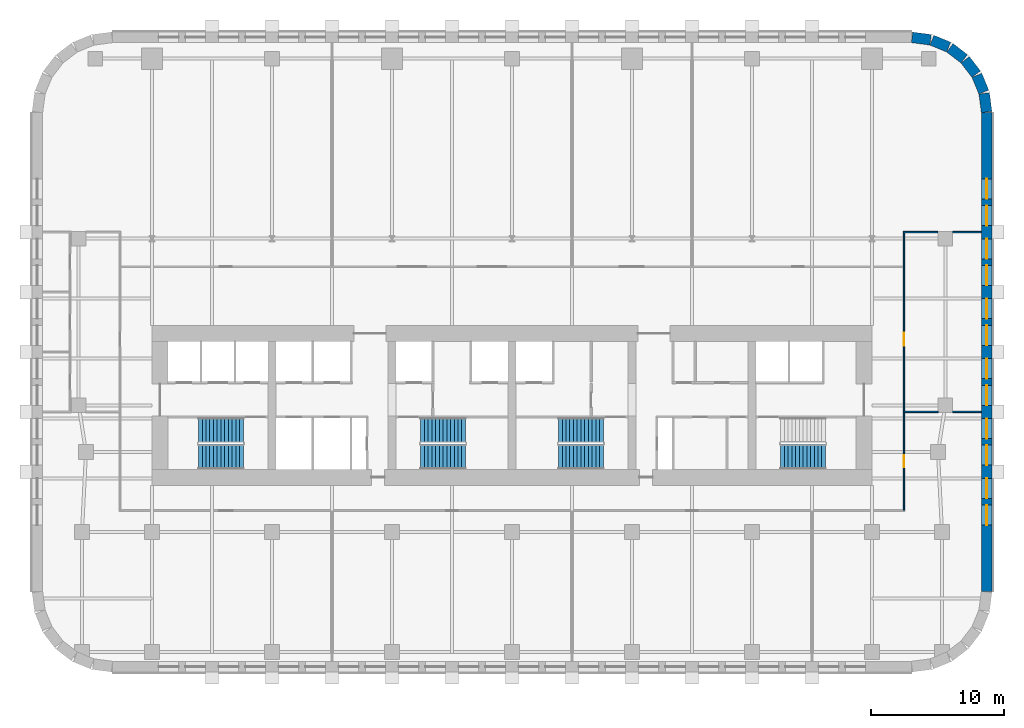
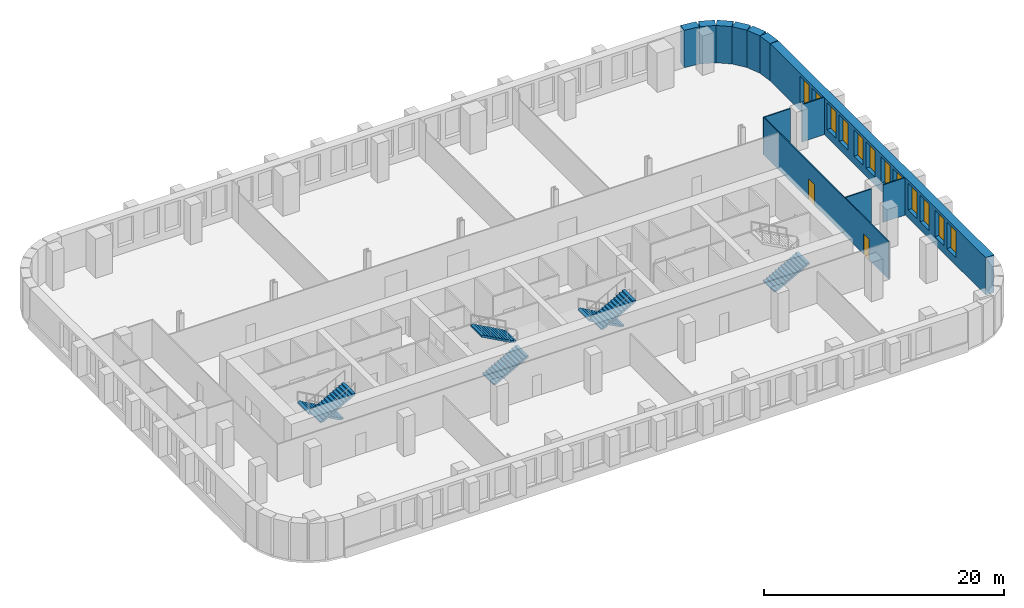
# One storey, part 8 of 11: 12 walls, 12 windows, 7 stair flights, 2 doors, 14 openings, 4 elements without a shape of their own.
"""IFC4 building model written with IfcOpenShell, lengths in metres."""

from ifc_helpers import new_model, si_unit, direction, frame, frame_2d, origin, place, context, subcontext, project, spatial, polyline, rectangle, outline, extrude, material, layer, layer_set, type_object, element, fill, aggregate, save


model = new_model("IFC4")

# Units and contexts
model_context = context("Model", 3, precision=1e-05, world=origin(), true_north=direction((0.0, 1.0)))
body_context = subcontext(model_context, "Body", "Model", "MODEL_VIEW")
ifc_project = project(units=[si_unit("LENGTHUNIT", "METRE"), si_unit("AREAUNIT", "SQUARE_METRE"), si_unit("VOLUMEUNIT", "CUBIC_METRE"), si_unit("PLANEANGLEUNIT", "RADIAN"), si_unit("MASSUNIT", "GRAM", prefix="KILO")], contexts=[model_context])

# Site, building, storey
site_placement = place(None, origin())
site = spatial("IfcSite", under=ifc_project, at=site_placement, CompositionType="ELEMENT")
building_placement = place(site_placement, origin())
building = spatial("IfcBuilding", under=site, at=building_placement, Name="Zellij Exchange Tower", CompositionType="ELEMENT")
storey_placement = place(building_placement, frame((0.0, 0.0, 72.5)))
storey = spatial("IfcBuildingStorey", under=building, at=storey_placement, Name="L14", CompositionType="ELEMENT", Elevation=72.5)

# Wall, openings, windows
ifc_material_1 = material(Name="Precast concrete C40/50", Category="concrete")
ifc_layer_1 = layer(ifc_material_1, 0.800048828125)
ifc_layer_set_1 = layer_set([ifc_layer_1], Name="Precast concrete C40/50")
wall_type_1 = type_object("IfcWallType", Name="ENV-EW1 Precast stone-piered wall 800", PredefinedType="SOLIDWALL", material=ifc_layer_set_1)
wall_1_placement = place(storey_placement, frame((35.60009765625, -21.947509765625, 0.0), z_axis=(0.0, 0.0, 1.0), x_axis=(0.0, 1.0, 0.0)))
wall_1 = element("IfcWall", 1, at=wall_1_placement, inside=storey, type_object=wall_type_1, Name="fac.L14.07", PredefinedType="SOLIDWALL", context=body_context, shape_type="SweptSolid", body=[
    extrude(rectangle(XDim=35.89501953125, YDim=0.800048828125, at=frame_2d((17.947509765625, 0.0))), origin(), (0.0, 0.0, 1.0), 3.800048828125),
])
opening_1_placement = place(wall_1_placement, frame((4.9638671875, 0.0, 0.800048828125)))
opening_1 = element("IfcOpeningElement", 2, at=opening_1_placement, cuts=wall_1, Name="Opening FZ1.25", PredefinedType="OPENING", context=body_context, shape_type="SweptSolid", body=[
    extrude(rectangle(XDim=1.5, YDim=2.699951171875, at=frame_2d((0.75, 1.35009765625))), frame((0.0, 0.412109375, 0.0), z_axis=(0.0, -1.0, 0.0), x_axis=(1.0, 0.0, 0.0)), (0.0, 0.0, 1.0), 0.823974609375),
])
opening_2_placement = place(wall_1_placement, frame((6.9638671875, 0.0, 0.800048828125)))
opening_2 = element("IfcOpeningElement", 3, at=opening_2_placement, cuts=wall_1, Name="Opening FZ1.26", PredefinedType="OPENING", context=body_context, shape_type="SweptSolid", body=[
    extrude(rectangle(XDim=1.5, YDim=2.699951171875, at=frame_2d((0.75, 1.35009765625))), frame((0.0, 0.412109375, 0.0), z_axis=(0.0, -1.0, 0.0), x_axis=(1.0, 0.0, 0.0)), (0.0, 0.0, 1.0), 0.823974609375),
])
opening_3_placement = place(wall_1_placement, frame((9.45751953125, 0.0, 0.800048828125)))
opening_3 = element("IfcOpeningElement", 4, at=opening_3_placement, cuts=wall_1, Name="Opening FZ1.27", PredefinedType="OPENING", context=body_context, shape_type="SweptSolid", body=[
    extrude(rectangle(XDim=1.5, YDim=2.699951171875, at=frame_2d((0.75, 1.35009765625))), frame((0.0, 0.412109375, 0.0), z_axis=(0.0, -1.0, 0.0), x_axis=(1.0, 0.0, 0.0)), (0.0, 0.0, 1.0), 0.823974609375),
])
opening_4_placement = place(wall_1_placement, frame((11.45751953125, 0.0, 0.800048828125)))
opening_4 = element("IfcOpeningElement", 5, at=opening_4_placement, cuts=wall_1, Name="Opening FZ1.28", PredefinedType="OPENING", context=body_context, shape_type="SweptSolid", body=[
    extrude(rectangle(XDim=1.5, YDim=2.699951171875, at=frame_2d((0.75, 1.35009765625))), frame((0.0, 0.412109375, 0.0), z_axis=(0.0, -1.0, 0.0), x_axis=(1.0, 0.0, 0.0)), (0.0, 0.0, 1.0), 0.823974609375),
])
opening_5_placement = place(wall_1_placement, frame((13.950927734375, 0.0, 0.800048828125)))
opening_5 = element("IfcOpeningElement", 6, at=opening_5_placement, cuts=wall_1, Name="Opening FZ1.29", PredefinedType="OPENING", context=body_context, shape_type="SweptSolid", body=[
    extrude(rectangle(XDim=1.5, YDim=2.699951171875, at=frame_2d((0.75, 1.35009765625))), frame((0.0, 0.412109375, 0.0), z_axis=(0.0, -1.0, 0.0), x_axis=(1.0, 0.0, 0.0)), (0.0, 0.0, 1.0), 0.823974609375),
])
opening_6_placement = place(wall_1_placement, frame((15.95068359375, 0.0, 0.800048828125)))
opening_6 = element("IfcOpeningElement", 7, at=opening_6_placement, cuts=wall_1, Name="Opening FZ1.30", PredefinedType="OPENING", context=body_context, shape_type="SweptSolid", body=[
    extrude(rectangle(XDim=1.5, YDim=2.699951171875, at=frame_2d((0.75, 1.35009765625))), frame((0.0, 0.412109375, 0.0), z_axis=(0.0, -1.0, 0.0), x_axis=(1.0, 0.0, 0.0)), (0.0, 0.0, 1.0), 0.823974609375),
])
opening_7_placement = place(wall_1_placement, frame((18.4443359375, 0.0, 0.800048828125)))
opening_7 = element("IfcOpeningElement", 8, at=opening_7_placement, cuts=wall_1, Name="Opening FZ1.31", PredefinedType="OPENING", context=body_context, shape_type="SweptSolid", body=[
    extrude(rectangle(XDim=1.5, YDim=2.699951171875, at=frame_2d((0.75, 1.35009765625))), frame((0.0, 0.412109375, 0.0), z_axis=(0.0, -1.0, 0.0), x_axis=(1.0, 0.0, 0.0)), (0.0, 0.0, 1.0), 0.823974609375),
])
opening_8_placement = place(wall_1_placement, frame((20.4443359375, 0.0, 0.800048828125)))
opening_8 = element("IfcOpeningElement", 9, at=opening_8_placement, cuts=wall_1, Name="Opening FZ1.32", PredefinedType="OPENING", context=body_context, shape_type="SweptSolid", body=[
    extrude(rectangle(XDim=1.5, YDim=2.699951171875, at=frame_2d((0.75, 1.35009765625))), frame((0.0, 0.412109375, 0.0), z_axis=(0.0, -1.0, 0.0), x_axis=(1.0, 0.0, 0.0)), (0.0, 0.0, 1.0), 0.823974609375),
])
opening_9_placement = place(wall_1_placement, frame((22.937744140625, 0.0, 0.800048828125)))
opening_9 = element("IfcOpeningElement", 10, at=opening_9_placement, cuts=wall_1, Name="Opening FZ1.33", PredefinedType="OPENING", context=body_context, shape_type="SweptSolid", body=[
    extrude(rectangle(XDim=1.5, YDim=2.699951171875, at=frame_2d((0.75, 1.35009765625))), frame((0.0, 0.412109375, 0.0), z_axis=(0.0, -1.0, 0.0), x_axis=(1.0, 0.0, 0.0)), (0.0, 0.0, 1.0), 0.823974609375),
])
opening_10_placement = place(wall_1_placement, frame((24.937744140625, 0.0, 0.800048828125)))
opening_10 = element("IfcOpeningElement", 11, at=opening_10_placement, cuts=wall_1, Name="Opening FZ1.34", PredefinedType="OPENING", context=body_context, shape_type="SweptSolid", body=[
    extrude(rectangle(XDim=1.5, YDim=2.699951171875, at=frame_2d((0.75, 1.35009765625))), frame((0.0, 0.412109375, 0.0), z_axis=(0.0, -1.0, 0.0), x_axis=(1.0, 0.0, 0.0)), (0.0, 0.0, 1.0), 0.823974609375),
])
opening_11_placement = place(wall_1_placement, frame((27.43115234375, 0.0, 0.800048828125)))
opening_11 = element("IfcOpeningElement", 12, at=opening_11_placement, cuts=wall_1, Name="Opening FZ1.35", PredefinedType="OPENING", context=body_context, shape_type="SweptSolid", body=[
    extrude(rectangle(XDim=1.5, YDim=2.699951171875, at=frame_2d((0.75, 1.35009765625))), frame((0.0, 0.412109375, 0.0), z_axis=(0.0, -1.0, 0.0), x_axis=(1.0, 0.0, 0.0)), (0.0, 0.0, 1.0), 0.823974609375),
])
opening_12_placement = place(wall_1_placement, frame((29.43115234375, 0.0, 0.800048828125)))
opening_12 = element("IfcOpeningElement", 13, at=opening_12_placement, cuts=wall_1, Name="Opening FZ1.36", PredefinedType="OPENING", context=body_context, shape_type="SweptSolid", body=[
    extrude(rectangle(XDim=1.5, YDim=2.699951171875, at=frame_2d((0.75, 1.35009765625))), frame((0.0, 0.412109375, 0.0), z_axis=(0.0, -1.0, 0.0), x_axis=(1.0, 0.0, 0.0)), (0.0, 0.0, 1.0), 0.823974609375),
])
ifc_material_2 = material(Name="Aluminium frame with insulating glass", Category="aluminium")
window_type = type_object("IfcWindowType", Name="ENV-W6 Window 1500x2700", PartitioningType="SINGLE_PANEL", PredefinedType="WINDOW", material=ifc_material_2)
window_1_placement = place(opening_1_placement, origin())
window_1 = element("IfcWindow", 14, at=window_1_placement, inside=storey, type_object=window_type, Name="Window FZ1.25", OverallHeight=2.699951171875, OverallWidth=1.5, PartitioningType="SINGLE_PANEL", PredefinedType="WINDOW", context=body_context, shape_type="SweptSolid", body=[
    extrude(rectangle(XDim=1.5, YDim=2.699951171875, at=frame_2d((0.75, 1.35009765625))), frame((0.0, 0.030029296875, 0.0), z_axis=(0.0, -1.0, 0.0), x_axis=(1.0, 0.0, 0.0)), (0.0, 0.0, 1.0), 0.06005859375),
])
fill(opening_1, window_1)
window_2_placement = place(opening_2_placement, origin())
window_2 = element("IfcWindow", 15, at=window_2_placement, inside=storey, type_object=window_type, Name="Window FZ1.26", OverallHeight=2.699951171875, OverallWidth=1.5, PartitioningType="SINGLE_PANEL", PredefinedType="WINDOW", context=body_context, shape_type="SweptSolid", body=[
    extrude(rectangle(XDim=1.5, YDim=2.699951171875, at=frame_2d((0.75, 1.35009765625))), frame((0.0, 0.030029296875, 0.0), z_axis=(0.0, -1.0, 0.0), x_axis=(1.0, 0.0, 0.0)), (0.0, 0.0, 1.0), 0.06005859375),
])
fill(opening_2, window_2)
window_3_placement = place(opening_3_placement, origin())
window_3 = element("IfcWindow", 16, at=window_3_placement, inside=storey, type_object=window_type, Name="Window FZ1.27", OverallHeight=2.699951171875, OverallWidth=1.5, PartitioningType="SINGLE_PANEL", PredefinedType="WINDOW", context=body_context, shape_type="SweptSolid", body=[
    extrude(rectangle(XDim=1.5, YDim=2.699951171875, at=frame_2d((0.75, 1.35009765625))), frame((0.0, 0.030029296875, 0.0), z_axis=(0.0, -1.0, 0.0), x_axis=(1.0, 0.0, 0.0)), (0.0, 0.0, 1.0), 0.06005859375),
])
fill(opening_3, window_3)
window_4_placement = place(opening_4_placement, origin())
window_4 = element("IfcWindow", 17, at=window_4_placement, inside=storey, type_object=window_type, Name="Window FZ1.28", OverallHeight=2.699951171875, OverallWidth=1.5, PartitioningType="SINGLE_PANEL", PredefinedType="WINDOW", context=body_context, shape_type="SweptSolid", body=[
    extrude(rectangle(XDim=1.5, YDim=2.699951171875, at=frame_2d((0.75, 1.35009765625))), frame((0.0, 0.030029296875, 0.0), z_axis=(0.0, -1.0, 0.0), x_axis=(1.0, 0.0, 0.0)), (0.0, 0.0, 1.0), 0.06005859375),
])
fill(opening_4, window_4)
window_5_placement = place(opening_5_placement, origin())
window_5 = element("IfcWindow", 18, at=window_5_placement, inside=storey, type_object=window_type, Name="Window FZ1.29", OverallHeight=2.699951171875, OverallWidth=1.5, PartitioningType="SINGLE_PANEL", PredefinedType="WINDOW", context=body_context, shape_type="SweptSolid", body=[
    extrude(rectangle(XDim=1.5, YDim=2.699951171875, at=frame_2d((0.75, 1.35009765625))), frame((0.0, 0.030029296875, 0.0), z_axis=(0.0, -1.0, 0.0), x_axis=(1.0, 0.0, 0.0)), (0.0, 0.0, 1.0), 0.06005859375),
])
fill(opening_5, window_5)
window_6_placement = place(opening_6_placement, origin())
window_6 = element("IfcWindow", 19, at=window_6_placement, inside=storey, type_object=window_type, Name="Window FZ1.30", OverallHeight=2.699951171875, OverallWidth=1.5, PartitioningType="SINGLE_PANEL", PredefinedType="WINDOW", context=body_context, shape_type="SweptSolid", body=[
    extrude(rectangle(XDim=1.5, YDim=2.699951171875, at=frame_2d((0.75, 1.35009765625))), frame((0.0, 0.030029296875, 0.0), z_axis=(0.0, -1.0, 0.0), x_axis=(1.0, 0.0, 0.0)), (0.0, 0.0, 1.0), 0.06005859375),
])
fill(opening_6, window_6)
window_7_placement = place(opening_7_placement, origin())
window_7 = element("IfcWindow", 20, at=window_7_placement, inside=storey, type_object=window_type, Name="Window FZ1.31", OverallHeight=2.699951171875, OverallWidth=1.5, PartitioningType="SINGLE_PANEL", PredefinedType="WINDOW", context=body_context, shape_type="SweptSolid", body=[
    extrude(rectangle(XDim=1.5, YDim=2.699951171875, at=frame_2d((0.75, 1.35009765625))), frame((0.0, 0.030029296875, 0.0), z_axis=(0.0, -1.0, 0.0), x_axis=(1.0, 0.0, 0.0)), (0.0, 0.0, 1.0), 0.06005859375),
])
fill(opening_7, window_7)
window_8_placement = place(opening_8_placement, origin())
window_8 = element("IfcWindow", 21, at=window_8_placement, inside=storey, type_object=window_type, Name="Window FZ1.32", OverallHeight=2.699951171875, OverallWidth=1.5, PartitioningType="SINGLE_PANEL", PredefinedType="WINDOW", context=body_context, shape_type="SweptSolid", body=[
    extrude(rectangle(XDim=1.5, YDim=2.699951171875, at=frame_2d((0.75, 1.35009765625))), frame((0.0, 0.030029296875, 0.0), z_axis=(0.0, -1.0, 0.0), x_axis=(1.0, 0.0, 0.0)), (0.0, 0.0, 1.0), 0.06005859375),
])
fill(opening_8, window_8)
window_9_placement = place(opening_9_placement, origin())
window_9 = element("IfcWindow", 22, at=window_9_placement, inside=storey, type_object=window_type, Name="Window FZ1.33", OverallHeight=2.699951171875, OverallWidth=1.5, PartitioningType="SINGLE_PANEL", PredefinedType="WINDOW", context=body_context, shape_type="SweptSolid", body=[
    extrude(rectangle(XDim=1.5, YDim=2.699951171875, at=frame_2d((0.75, 1.35009765625))), frame((0.0, 0.030029296875, 0.0), z_axis=(0.0, -1.0, 0.0), x_axis=(1.0, 0.0, 0.0)), (0.0, 0.0, 1.0), 0.06005859375),
])
fill(opening_9, window_9)
window_10_placement = place(opening_10_placement, origin())
window_10 = element("IfcWindow", 23, at=window_10_placement, inside=storey, type_object=window_type, Name="Window FZ1.34", OverallHeight=2.699951171875, OverallWidth=1.5, PartitioningType="SINGLE_PANEL", PredefinedType="WINDOW", context=body_context, shape_type="SweptSolid", body=[
    extrude(rectangle(XDim=1.5, YDim=2.699951171875, at=frame_2d((0.75, 1.35009765625))), frame((0.0, 0.030029296875, 0.0), z_axis=(0.0, -1.0, 0.0), x_axis=(1.0, 0.0, 0.0)), (0.0, 0.0, 1.0), 0.06005859375),
])
fill(opening_10, window_10)
window_11_placement = place(opening_11_placement, origin())
window_11 = element("IfcWindow", 24, at=window_11_placement, inside=storey, type_object=window_type, Name="Window FZ1.35", OverallHeight=2.699951171875, OverallWidth=1.5, PartitioningType="SINGLE_PANEL", PredefinedType="WINDOW", context=body_context, shape_type="SweptSolid", body=[
    extrude(rectangle(XDim=1.5, YDim=2.699951171875, at=frame_2d((0.75, 1.35009765625))), frame((0.0, 0.030029296875, 0.0), z_axis=(0.0, -1.0, 0.0), x_axis=(1.0, 0.0, 0.0)), (0.0, 0.0, 1.0), 0.06005859375),
])
fill(opening_11, window_11)
window_12_placement = place(opening_12_placement, origin())
window_12 = element("IfcWindow", 25, at=window_12_placement, inside=storey, type_object=window_type, Name="Window FZ1.36", OverallHeight=2.699951171875, OverallWidth=1.5, PartitioningType="SINGLE_PANEL", PredefinedType="WINDOW", context=body_context, shape_type="SweptSolid", body=[
    extrude(rectangle(XDim=1.5, YDim=2.699951171875, at=frame_2d((0.75, 1.35009765625))), frame((0.0, 0.030029296875, 0.0), z_axis=(0.0, -1.0, 0.0), x_axis=(1.0, 0.0, 0.0)), (0.0, 0.0, 1.0), 0.06005859375),
])
fill(opening_12, window_12)

# Walls
wall_2_placement = place(storey_placement, frame((35.5966796875, 13.999755859375, 0.0), z_axis=(0.0, 0.0, 1.0), x_axis=(-0.130517283865, 0.99144603414, 0.0)))
element("IfcWall", 26, at=wall_2_placement, inside=storey, type_object=wall_type_1, Name="fac.L14.08", PredefinedType="SOLIDWALL", context=body_context, shape_type="SweptSolid", body=[
    extrude(rectangle(XDim=1.408447265625, YDim=0.800048828125, at=frame_2d((0.7041015625, 0.0))), origin(), (0.0, 0.0, 1.0), 3.800048828125),
])
wall_3_placement = place(storey_placement, frame((35.3857421875, 15.497314453125, 0.0), z_axis=(0.0, 0.0, 1.0), x_axis=(-0.38276009378, 0.923847774587, 0.0)))
element("IfcWall", 27, at=wall_3_placement, inside=storey, type_object=wall_type_1, Name="fac.L14.09", PredefinedType="SOLIDWALL", context=body_context, shape_type="SweptSolid", body=[
    extrude(rectangle(XDim=1.35546875, YDim=0.800048828125, at=frame_2d((0.677734375, 0.0))), origin(), (0.0, 0.0, 1.0), 3.800048828125),
])
for number, where, z_axis, x_axis, name in (
    (28, (34.814697265625, 16.840087890625, 0.0), (0.0, 0.0, 1.0), (-0.608866226366, 0.793272915452, 0.0), "fac.L14.10"),
    (29, (33.91552734375, 17.9892578125, 0.0), (0.0, 0.0, 1.0), (-0.793272915452, 0.608866226366, 0.0), "fac.L14.11"),
):
    element("IfcWall", number, at=place(storey_placement, frame(where, z_axis=z_axis, x_axis=x_axis)), inside=storey, type_object=wall_type_1, Name=name, PredefinedType="SOLIDWALL", context=body_context, shape_type="SweptSolid", body=[
        extrude(rectangle(XDim=1.355712890625, YDim=0.800048828125, at=frame_2d((0.677734375, 0.0))), origin(), (0.0, 0.0, 1.0), 3.800048828125),
    ])
wall_4_placement = place(storey_placement, frame((32.74951171875, 18.866943359375, 0.0), z_axis=(0.0, 0.0, 1.0), x_axis=(-0.923847774587, 0.38276009378, 0.0)))
element("IfcWall", 30, at=wall_4_placement, inside=storey, type_object=wall_type_1, Name="fac.L14.12", PredefinedType="SOLIDWALL", context=body_context, shape_type="SweptSolid", body=[
    extrude(rectangle(XDim=1.35546875, YDim=0.800048828125, at=frame_2d((0.677734375, 0.0))), origin(), (0.0, 0.0, 1.0), 3.800048828125),
])
wall_5_placement = place(storey_placement, frame((31.396240234375, 19.412841796875, 0.0), z_axis=(0.0, 0.0, 1.0), x_axis=(-0.99144603414, 0.130517283865, 0.0)))
element("IfcWall", 31, at=wall_5_placement, inside=storey, type_object=wall_type_1, Name="fac.L14.13", PredefinedType="SOLIDWALL", context=body_context, shape_type="SweptSolid", body=[
    extrude(rectangle(XDim=1.408447265625, YDim=0.800048828125, at=frame_2d((0.7041015625, 0.0))), origin(), (0.0, 0.0, 1.0), 3.800048828125),
])

# Wall, openings, doors
ifc_material_3 = material(Name="Gypsum board partition on steel studs", Category="steel")
ifc_layer_2 = layer(ifc_material_3, 0.10009765625)
ifc_layer_set_2 = layer_set([ifc_layer_2], Name="Gypsum board partition on steel studs")
wall_type_2 = type_object("IfcWallType", Name="FIT-PARTITION-100", PredefinedType="PARTITIONING", material=ifc_layer_set_2)
wall_6_placement = place(storey_placement, frame((29.39990234375, -15.85009765625, 0.0), z_axis=(0.0, 0.0, 1.0), x_axis=(0.0, 1.0, 0.0)))
wall_6 = element("IfcWall", 32, at=wall_6_placement, inside=storey, type_object=wall_type_2, Name="FIT-PARTITION-100 009", PredefinedType="PARTITIONING", context=body_context, shape_type="SweptSolid", body=[
    extrude(rectangle(XDim=20.7900390625, YDim=0.10009765625, at=frame_2d((10.39501953125, 0.0))), origin(), (0.0, 0.0, 1.0), 3.800048828125),
])
opening_13_placement = place(wall_6_placement, frame((3.199951171875, 0.0, 0.0)))
opening_13 = element("IfcOpeningElement", 33, at=opening_13_placement, cuts=wall_6, Name="Opening TB.04", PredefinedType="OPENING", context=body_context, shape_type="SweptSolid", body=[
    extrude(rectangle(XDim=0.89990234375, YDim=2.10009765625, at=frame_2d((0.449951171875, 1.050048828125))), frame((0.0, 0.06201171875, 0.0), z_axis=(0.0, -1.0, 0.0), x_axis=(1.0, 0.0, 0.0)), (0.0, 0.0, 1.0), 0.1240234375),
])
opening_14_placement = place(wall_6_placement, frame((12.31005859375, 0.0, 0.0)))
opening_14 = element("IfcOpeningElement", 34, at=opening_14_placement, cuts=wall_6, Name="Opening TB.07", PredefinedType="OPENING", context=body_context, shape_type="SweptSolid", body=[
    extrude(rectangle(XDim=1.0, YDim=2.10009765625, at=frame_2d((0.5, 1.050048828125))), frame((0.0, 0.06201171875, 0.0), z_axis=(0.0, -1.0, 0.0), x_axis=(1.0, 0.0, 0.0)), (0.0, 0.0, 1.0), 0.1240234375),
])
ifc_material_4 = material(Name="Timber door set", Category="wood")
door_type_1 = type_object("IfcDoorType", Name="FIT-D1-ROOM-900X2100", OperationType="SINGLE_SWING_LEFT", PredefinedType="DOOR", material=ifc_material_4)
door_1_placement = place(opening_13_placement, origin())
door_1 = element("IfcDoor", 35, at=door_1_placement, inside=storey, type_object=door_type_1, Name="Door TB.04", OperationType="SINGLE_SWING_LEFT", OverallHeight=2.10009765625, OverallWidth=0.89990234375, PredefinedType="DOOR", context=body_context, shape_type="SweptSolid", body=[
    extrude(rectangle(XDim=0.89990234375, YDim=2.10009765625, at=frame_2d((0.449951171875, 1.050048828125))), frame((0.0, 0.02490234375, 0.0), z_axis=(0.0, -1.0, 0.0), x_axis=(1.0, 0.0, 0.0)), (0.0, 0.0, 1.0), 0.050048828125),
])
fill(opening_13, door_1)
door_type_2 = type_object("IfcDoorType", Name="FIT-D2-WIDE-1000X2100", OperationType="SINGLE_SWING_LEFT", PredefinedType="DOOR", material=ifc_material_4)
door_2_placement = place(opening_14_placement, origin())
door_2 = element("IfcDoor", 36, at=door_2_placement, inside=storey, type_object=door_type_2, Name="Door TB.07", OperationType="SINGLE_SWING_RIGHT", OverallHeight=2.10009765625, OverallWidth=1.0, PredefinedType="DOOR", context=body_context, shape_type="SweptSolid", body=[
    extrude(rectangle(XDim=1.0, YDim=2.10009765625, at=frame_2d((0.5, 1.050048828125))), frame((0.0, 0.02490234375, 0.0), z_axis=(0.0, -1.0, 0.0), x_axis=(1.0, 0.0, 0.0)), (0.0, 0.0, 1.0), 0.050048828125),
])
fill(opening_14, door_2)

# Walls
wall_7_placement = place(storey_placement, frame((29.449951171875, -8.489990234375, 0.0), z_axis=(0.0, 0.0, 1.0), x_axis=(1.0, 0.0, 0.0)))
element("IfcWall", 37, at=wall_7_placement, inside=storey, type_object=wall_type_2, Name="FIT-PARTITION-100 013", PredefinedType="PARTITIONING", context=body_context, shape_type="SweptSolid", body=[
    extrude(rectangle(XDim=2.5, YDim=0.10009765625, at=frame_2d((1.25, 0.0))), origin(), (0.0, 0.0, 1.0), 3.800048828125),
])
wall_8_placement = place(storey_placement, frame((33.050048828125, -8.489990234375, 0.0), z_axis=(0.0, 0.0, 1.0), x_axis=(1.0, 0.0, 0.0)))
element("IfcWall", 38, at=wall_8_placement, inside=storey, type_object=wall_type_2, Name="FIT-PARTITION-100 014", PredefinedType="PARTITIONING", context=body_context, shape_type="SweptSolid", body=[
    extrude(rectangle(XDim=2.14990234375, YDim=0.10009765625, at=frame_2d((1.074951171875, 0.0))), origin(), (0.0, 0.0, 1.0), 3.800048828125),
])
wall_9_placement = place(storey_placement, frame((29.35009765625, 4.989990234375, 0.0), z_axis=(0.0, 0.0, 1.0), x_axis=(1.0, 0.0, 0.0)))
element("IfcWall", 39, at=wall_9_placement, inside=storey, type_object=wall_type_2, Name="FIT-PARTITION-100 026", PredefinedType="PARTITIONING", context=body_context, shape_type="SweptSolid", body=[
    extrude(rectangle(XDim=2.599853515625, YDim=0.10009765625, at=frame_2d((1.2998046875, 0.0))), origin(), (0.0, 0.0, 1.0), 3.800048828125),
])
wall_10_placement = place(storey_placement, frame((33.050048828125, 4.989990234375, 0.0), z_axis=(0.0, 0.0, 1.0), x_axis=(1.0, 0.0, 0.0)))
element("IfcWall", 40, at=wall_10_placement, inside=storey, type_object=wall_type_2, Name="FIT-PARTITION-100 027", PredefinedType="PARTITIONING", context=body_context, shape_type="SweptSolid", body=[
    extrude(rectangle(XDim=2.14990234375, YDim=0.10009765625, at=frame_2d((1.074951171875, 0.0))), origin(), (0.0, 0.0, 1.0), 3.800048828125),
])

# Stair, stair flights
ifc_material_5 = material(Name="Concrete C40/50", Category="concrete")
stair_type = type_object("IfcStairType", Name="CORE-ST exit stair 1850 wide", PredefinedType="HALF_TURN_STAIR", material=ifc_material_5)
stair_1_placement = place(storey_placement, origin())
stair_1 = element("IfcStair", 41, at=stair_1_placement, inside=storey, type_object=stair_type, Name="L14 exit stair ST1", PredefinedType="HALF_TURN_STAIR")
stair_flight_type = type_object("IfcStairFlightType", Name="CORE-SF flight 1850 riser 153.8 going 280", PredefinedType="STRAIGHT", material=ifc_material_5)
stair_flight_1_placement = place(storey_placement, frame((-20.14990234375, -9.875, 0.0), z_axis=(0.0, 0.0, 1.0), x_axis=(-1.0, 0.0, 0.0)))
stair_flight_1 = element("IfcStairFlight", 42, at=stair_flight_1_placement, type_object=stair_flight_type, Name="ST1 flight 1", NumberOfRisers=13, NumberOfTreads=12, PredefinedType="STRAIGHT", RiserHeight=0.153846154, TreadLength=0.28, context=body_context, shape_type="SweptSolid", body=[
    extrude(outline(polyline([(0.0, 0.0), (0.0, 0.15380859375), (0.280029296875, 0.15380859375), (0.280029296875, 0.3076171875), (0.56005859375, 0.3076171875), (0.56005859375, 0.46142578125), (0.840087890625, 0.46142578125), (0.840087890625, 0.615478515625), (1.1201171875, 0.615478515625), (1.1201171875, 0.769287109375), (1.39990234375, 0.769287109375), (1.39990234375, 0.923095703125), (1.679931640625, 0.923095703125), (1.679931640625, 1.076904296875), (1.9599609375, 1.076904296875), (1.9599609375, 1.230712890625), (2.239990234375, 1.230712890625), (2.239990234375, 1.384521484375), (2.52001953125, 1.384521484375), (2.52001953125, 1.53857421875), (2.800048828125, 1.53857421875), (2.800048828125, 1.6923828125), (3.080078125, 1.6923828125), (3.080078125, 1.84619140625), (3.360107421875, 1.84619140625), (3.360107421875, 2.0), (3.360107421875, 1.675048828125), (0.311279296875, 0.0), (0.0, 0.0)])), frame((0.0, 0.925048828125, 0.0), z_axis=(0.0, -1.0, 0.0), x_axis=(1.0, 0.0, 0.0)), (0.0, 0.0, 1.0), 1.85009765625),
])
stair_flight_2_placement = place(storey_placement, frame((-23.510009765625, -11.875, 2.0), z_axis=(0.0, 0.0, 1.0), x_axis=(1.0, 0.0, 0.0)))
stair_flight_2 = element("IfcStairFlight", 43, at=stair_flight_2_placement, type_object=stair_flight_type, Name="ST1 flight 2", NumberOfRisers=13, NumberOfTreads=12, PredefinedType="STRAIGHT", RiserHeight=0.153846154, TreadLength=0.28, context=body_context, shape_type="SweptSolid", body=[
    extrude(outline(polyline([(0.0, 0.0), (0.0, 0.15380859375), (0.280029296875, 0.15380859375), (0.280029296875, 0.3076171875), (0.56005859375, 0.3076171875), (0.56005859375, 0.46142578125), (0.840087890625, 0.46142578125), (0.840087890625, 0.615478515625), (1.1201171875, 0.615478515625), (1.1201171875, 0.769287109375), (1.39990234375, 0.769287109375), (1.39990234375, 0.923095703125), (1.679931640625, 0.923095703125), (1.679931640625, 1.076904296875), (1.9599609375, 1.076904296875), (1.9599609375, 1.230712890625), (2.239990234375, 1.230712890625), (2.239990234375, 1.384521484375), (2.52001953125, 1.384521484375), (2.52001953125, 1.53857421875), (2.800048828125, 1.53857421875), (2.800048828125, 1.6923828125), (3.080078125, 1.6923828125), (3.080078125, 1.84619140625), (3.360107421875, 1.84619140625), (3.360107421875, 2.0), (3.360107421875, 1.675048828125), (0.311279296875, 0.0), (0.0, 0.0)])), frame((0.0, 0.925048828125, 0.0), z_axis=(0.0, -1.0, 0.0), x_axis=(1.0, 0.0, 0.0)), (0.0, 0.0, 1.0), 1.85009765625),
])
aggregate(stair_1, [stair_flight_1, stair_flight_2])

stair_2_placement = place(storey_placement, origin())
stair_2 = element("IfcStair", 44, at=stair_2_placement, inside=storey, type_object=stair_type, Name="L14 exit stair ST2", PredefinedType="HALF_TURN_STAIR")
stair_flight_3_placement = place(storey_placement, frame((-6.85009765625, -11.875, 0.0), z_axis=(0.0, 0.0, 1.0), x_axis=(1.0, 0.0, 0.0)))
stair_flight_3 = element("IfcStairFlight", 45, at=stair_flight_3_placement, type_object=stair_flight_type, Name="ST2 flight 1", NumberOfRisers=13, NumberOfTreads=12, PredefinedType="STRAIGHT", RiserHeight=0.153846154, TreadLength=0.28, context=body_context, shape_type="SweptSolid", body=[
    extrude(outline(polyline([(0.0, 0.0), (0.0, 0.15380859375), (0.280029296875, 0.15380859375), (0.280029296875, 0.3076171875), (0.56005859375, 0.3076171875), (0.56005859375, 0.46142578125), (0.840087890625, 0.46142578125), (0.840087890625, 0.615478515625), (1.1201171875, 0.615478515625), (1.1201171875, 0.769287109375), (1.39990234375, 0.769287109375), (1.39990234375, 0.923095703125), (1.679931640625, 0.923095703125), (1.679931640625, 1.076904296875), (1.9599609375, 1.076904296875), (1.9599609375, 1.230712890625), (2.239990234375, 1.230712890625), (2.239990234375, 1.384521484375), (2.52001953125, 1.384521484375), (2.52001953125, 1.53857421875), (2.800048828125, 1.53857421875), (2.800048828125, 1.6923828125), (3.080078125, 1.6923828125), (3.080078125, 1.84619140625), (3.360107421875, 1.84619140625), (3.360107421875, 2.0), (3.360107421875, 1.675048828125), (0.311279296875, 0.0), (0.0, 0.0)])), frame((0.0, 0.925048828125, 0.0), z_axis=(0.0, -1.0, 0.0), x_axis=(1.0, 0.0, 0.0)), (0.0, 0.0, 1.0), 1.85009765625),
])
stair_flight_4_placement = place(storey_placement, frame((-3.489990234375, -9.875, 2.0), z_axis=(0.0, 0.0, 1.0), x_axis=(-1.0, 0.0, 0.0)))
stair_flight_4 = element("IfcStairFlight", 46, at=stair_flight_4_placement, type_object=stair_flight_type, Name="ST2 flight 2", NumberOfRisers=13, NumberOfTreads=12, PredefinedType="STRAIGHT", RiserHeight=0.153846154, TreadLength=0.28, context=body_context, shape_type="SweptSolid", body=[
    extrude(outline(polyline([(0.0, 0.0), (0.0, 0.15380859375), (0.280029296875, 0.15380859375), (0.280029296875, 0.3076171875), (0.56005859375, 0.3076171875), (0.56005859375, 0.46142578125), (0.840087890625, 0.46142578125), (0.840087890625, 0.615478515625), (1.1201171875, 0.615478515625), (1.1201171875, 0.769287109375), (1.39990234375, 0.769287109375), (1.39990234375, 0.923095703125), (1.679931640625, 0.923095703125), (1.679931640625, 1.076904296875), (1.9599609375, 1.076904296875), (1.9599609375, 1.230712890625), (2.239990234375, 1.230712890625), (2.239990234375, 1.384521484375), (2.52001953125, 1.384521484375), (2.52001953125, 1.53857421875), (2.800048828125, 1.53857421875), (2.800048828125, 1.6923828125), (3.080078125, 1.6923828125), (3.080078125, 1.84619140625), (3.360107421875, 1.84619140625), (3.360107421875, 2.0), (3.360107421875, 1.675048828125), (0.311279296875, 0.0), (0.0, 0.0)])), frame((0.0, 0.925048828125, 0.0), z_axis=(0.0, -1.0, 0.0), x_axis=(1.0, 0.0, 0.0)), (0.0, 0.0, 1.0), 1.85009765625),
])
aggregate(stair_2, [stair_flight_3, stair_flight_4])

stair_3_placement = place(storey_placement, origin())
stair_3 = element("IfcStair", 47, at=stair_3_placement, inside=storey, type_object=stair_type, Name="L14 exit stair ST3", PredefinedType="HALF_TURN_STAIR")
stair_flight_5_placement = place(storey_placement, frame((6.85009765625, -9.875, 0.0), z_axis=(0.0, 0.0, 1.0), x_axis=(-1.0, 0.0, 0.0)))
stair_flight_5 = element("IfcStairFlight", 48, at=stair_flight_5_placement, type_object=stair_flight_type, Name="ST3 flight 1", NumberOfRisers=13, NumberOfTreads=12, PredefinedType="STRAIGHT", RiserHeight=0.153846154, TreadLength=0.28, context=body_context, shape_type="SweptSolid", body=[
    extrude(outline(polyline([(0.0, 0.0), (0.0, 0.15380859375), (0.280029296875, 0.15380859375), (0.280029296875, 0.3076171875), (0.56005859375, 0.3076171875), (0.56005859375, 0.46142578125), (0.840087890625, 0.46142578125), (0.840087890625, 0.615478515625), (1.1201171875, 0.615478515625), (1.1201171875, 0.769287109375), (1.39990234375, 0.769287109375), (1.39990234375, 0.923095703125), (1.679931640625, 0.923095703125), (1.679931640625, 1.076904296875), (1.9599609375, 1.076904296875), (1.9599609375, 1.230712890625), (2.239990234375, 1.230712890625), (2.239990234375, 1.384521484375), (2.52001953125, 1.384521484375), (2.52001953125, 1.53857421875), (2.800048828125, 1.53857421875), (2.800048828125, 1.6923828125), (3.080078125, 1.6923828125), (3.080078125, 1.84619140625), (3.360107421875, 1.84619140625), (3.360107421875, 2.0), (3.360107421875, 1.675048828125), (0.311279296875, 0.0), (0.0, 0.0)])), frame((0.0, 0.925048828125, 0.0), z_axis=(0.0, -1.0, 0.0), x_axis=(1.0, 0.0, 0.0)), (0.0, 0.0, 1.0), 1.85009765625),
])
stair_flight_6_placement = place(storey_placement, frame((3.489990234375, -11.875, 2.0), z_axis=(0.0, 0.0, 1.0), x_axis=(1.0, 0.0, 0.0)))
stair_flight_6 = element("IfcStairFlight", 49, at=stair_flight_6_placement, type_object=stair_flight_type, Name="ST3 flight 2", NumberOfRisers=13, NumberOfTreads=12, PredefinedType="STRAIGHT", RiserHeight=0.153846154, TreadLength=0.28, context=body_context, shape_type="SweptSolid", body=[
    extrude(outline(polyline([(0.0, 0.0), (0.0, 0.15380859375), (0.280029296875, 0.15380859375), (0.280029296875, 0.3076171875), (0.56005859375, 0.3076171875), (0.56005859375, 0.46142578125), (0.840087890625, 0.46142578125), (0.840087890625, 0.615478515625), (1.1201171875, 0.615478515625), (1.1201171875, 0.769287109375), (1.39990234375, 0.769287109375), (1.39990234375, 0.923095703125), (1.679931640625, 0.923095703125), (1.679931640625, 1.076904296875), (1.9599609375, 1.076904296875), (1.9599609375, 1.230712890625), (2.239990234375, 1.230712890625), (2.239990234375, 1.384521484375), (2.52001953125, 1.384521484375), (2.52001953125, 1.53857421875), (2.800048828125, 1.53857421875), (2.800048828125, 1.6923828125), (3.080078125, 1.6923828125), (3.080078125, 1.84619140625), (3.360107421875, 1.84619140625), (3.360107421875, 2.0), (3.360107421875, 1.675048828125), (0.311279296875, 0.0), (0.0, 0.0)])), frame((0.0, 0.925048828125, 0.0), z_axis=(0.0, -1.0, 0.0), x_axis=(1.0, 0.0, 0.0)), (0.0, 0.0, 1.0), 1.85009765625),
])
aggregate(stair_3, [stair_flight_5, stair_flight_6])

# Stair, stair flight
stair_4_placement = place(storey_placement, origin())
stair_4 = element("IfcStair", 50, at=stair_4_placement, inside=storey, type_object=stair_type, Name="L14 exit stair ST4", PredefinedType="HALF_TURN_STAIR")
stair_flight_7_placement = place(storey_placement, frame((20.14990234375, -11.875, 0.0), z_axis=(0.0, 0.0, 1.0), x_axis=(1.0, 0.0, 0.0)))
stair_flight_7 = element("IfcStairFlight", 51, at=stair_flight_7_placement, type_object=stair_flight_type, Name="ST4 flight 1", NumberOfRisers=13, NumberOfTreads=12, PredefinedType="STRAIGHT", RiserHeight=0.153846154, TreadLength=0.28, context=body_context, shape_type="SweptSolid", body=[
    extrude(outline(polyline([(0.0, 0.0), (0.0, 0.15380859375), (0.280029296875, 0.15380859375), (0.280029296875, 0.3076171875), (0.56005859375, 0.3076171875), (0.56005859375, 0.46142578125), (0.840087890625, 0.46142578125), (0.840087890625, 0.615478515625), (1.1201171875, 0.615478515625), (1.1201171875, 0.769287109375), (1.39990234375, 0.769287109375), (1.39990234375, 0.923095703125), (1.679931640625, 0.923095703125), (1.679931640625, 1.076904296875), (1.9599609375, 1.076904296875), (1.9599609375, 1.230712890625), (2.239990234375, 1.230712890625), (2.239990234375, 1.384521484375), (2.52001953125, 1.384521484375), (2.52001953125, 1.53857421875), (2.800048828125, 1.53857421875), (2.800048828125, 1.6923828125), (3.080078125, 1.6923828125), (3.080078125, 1.84619140625), (3.360107421875, 1.84619140625), (3.360107421875, 2.0), (3.360107421875, 1.675048828125), (0.311279296875, 0.0), (0.0, 0.0)])), frame((0.0, 0.925048828125, 0.0), z_axis=(0.0, -1.0, 0.0), x_axis=(1.0, 0.0, 0.0)), (0.0, 0.0, 1.0), 1.85009765625),
])
aggregate(stair_4, [stair_flight_7])

save(model, "model.ifc")
